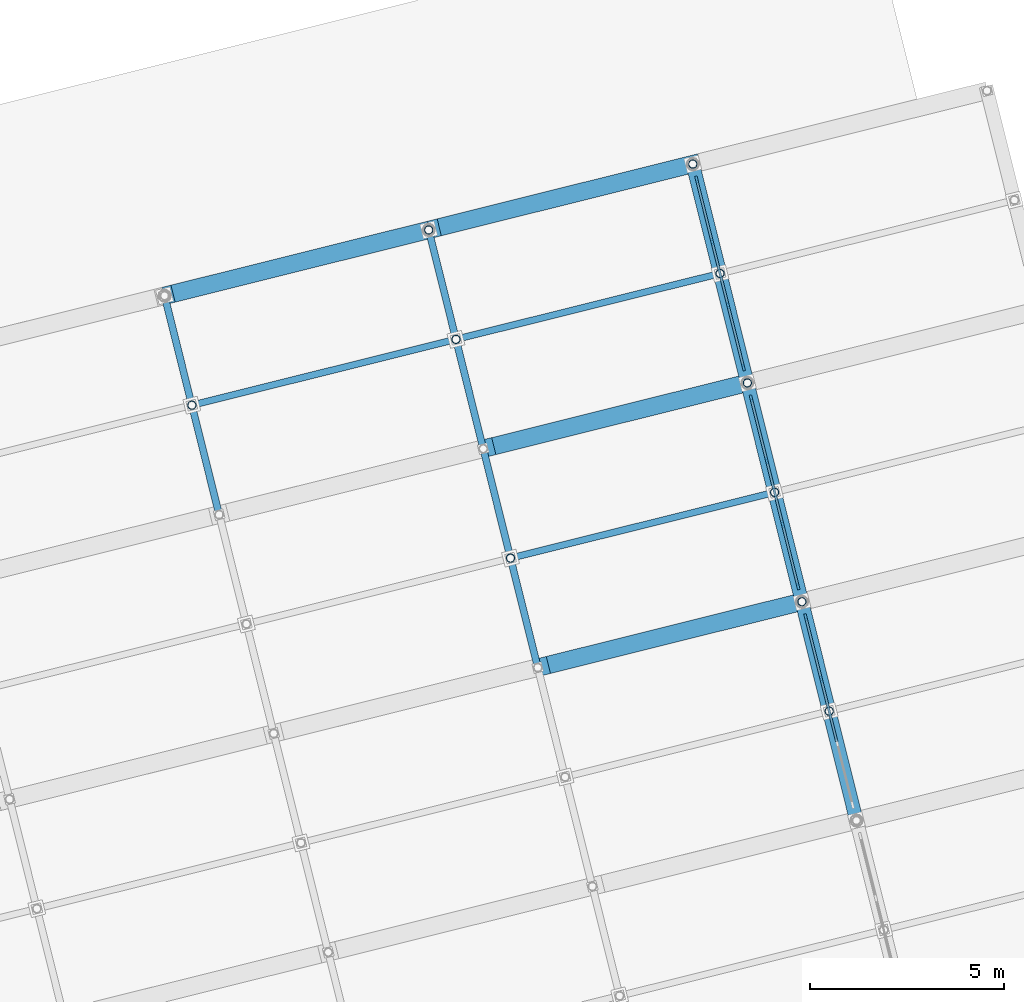
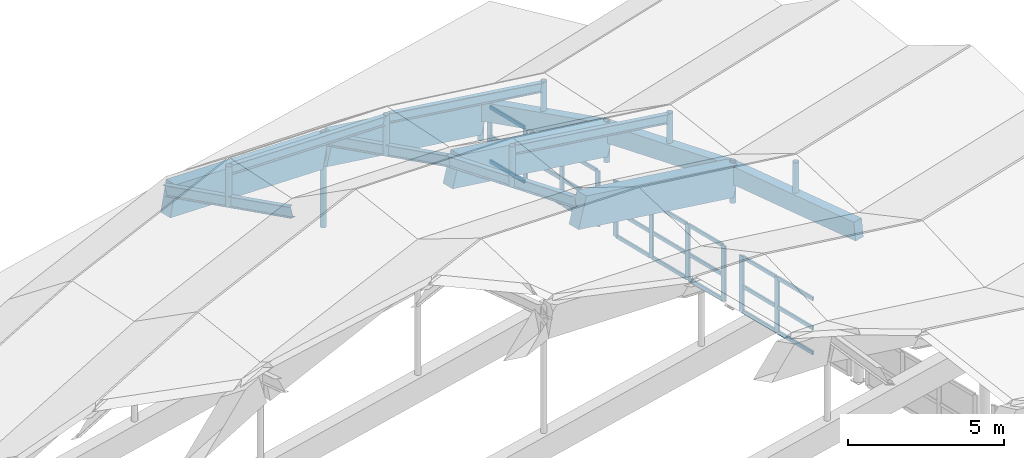
# One storey, part 31 of 65: 44 members, 13 beams, 3 elements without a shape of their own.
"""IFC4 building model written with IfcOpenShell, lengths in metres."""

from ifc_helpers import new_model, si_unit, direction, frame, origin, origin_2d, place, context, subcontext, project, spatial, rectangle, hollow_circle, i_section, extrude, material, material_profile, profile_set, type_object, element, aggregate, save


model = new_model("IFC4")

# Units and contexts
model_context = context("Model", 3, precision=1e-05, world=origin(), true_north=direction((0.0, 1.0)))
body_context = subcontext(model_context, "Body", "Model", "MODEL_VIEW")
ifc_project = project(units=[si_unit("LENGTHUNIT", "METRE"), si_unit("AREAUNIT", "SQUARE_METRE"), si_unit("VOLUMEUNIT", "CUBIC_METRE"), si_unit("PLANEANGLEUNIT", "RADIAN"), si_unit("MASSUNIT", "GRAM", prefix="KILO")], contexts=[model_context])

# Site, building, storey
site_placement = place(None, origin())
site = spatial("IfcSite", under=ifc_project, at=site_placement, CompositionType="ELEMENT")
building_placement = place(site_placement, origin())
building = spatial("IfcBuilding", under=site, at=building_placement, Name="Cinderway Yard Community Centre", CompositionType="ELEMENT")
storey_placement = place(building_placement, frame((0.0, 0.0, 24.300048828125)))
storey = spatial("IfcBuildingStorey", under=building, at=storey_placement, Name="RF", CompositionType="ELEMENT", Elevation=24.300048828125)

# Curtain wall, members
ifc_material_1 = material(Name="Aluminium 6063-T6", Category="aluminium")
curtain_wall_type = type_object("IfcCurtainWallType", Name="ENV-CW-TYPE-10", PredefinedType="USERDEFINED", material=ifc_material_1)
curtain_wall_1_placement = place(storey_placement, origin())
curtain_wall_1 = element("IfcCurtainWall", 1, at=curtain_wall_1_placement, inside=storey, type_object=curtain_wall_type, Name="Main Hall East Clerestory Curtain Wall ENV-CW-RF-HS-0034", ObjectType="GLAZED CURTAIN WALL", PredefinedType="USERDEFINED")
ifc_material_profile_1 = material_profile(ifc_material_1, rectangle(XDim=0.06494140625, YDim=0.179931640625, at=origin_2d()), Name="Aluminium 6063-T6")
ifc_profile_set_1 = profile_set([ifc_material_profile_1], Name="Aluminium 6063-T6")
member_type_1 = type_object("IfcMemberType", Name="ENV-CW-MULL-180", PredefinedType="MULLION", material=ifc_profile_set_1)
member_1_placement = place(storey_placement, frame((40.46044921875, 58.0302734375, -11.420166015625), z_axis=(0.0, 0.0, 1.0), x_axis=(-0.970294077356, -0.24192850896, 0.0)))
member_1 = element("IfcMember", 2, at=member_1_placement, type_object=member_type_1, Name="CW-10 mullion 3", PredefinedType="MULLION", context=body_context, shape_type="SweptSolid", body=[
    extrude(rectangle(XDim=0.06494140625, YDim=0.179931640625, at=origin_2d()), origin(), (0.0, 0.0, 1.0), 2.170166015625),
])
member_2_placement = place(storey_placement, frame((40.061279296875, 59.630859375, -11.420166015625), z_axis=(0.0, 0.0, 1.0), x_axis=(-0.970294077356, -0.24192850896, 0.0)))
member_2 = element("IfcMember", 3, at=member_2_placement, type_object=member_type_1, Name="CW-10 mullion 4", PredefinedType="MULLION", context=body_context, shape_type="SweptSolid", body=[
    extrude(rectangle(XDim=0.06494140625, YDim=0.179931640625, at=origin_2d()), origin(), (0.0, 0.0, 1.0), 2.170166015625),
])

curtain_wall_2_placement = place(storey_placement, origin())
curtain_wall_2 = element("IfcCurtainWall", 4, at=curtain_wall_2_placement, inside=storey, type_object=curtain_wall_type, Name="Main Hall East Clerestory Curtain Wall ENV-CW-RF-HS-0035", ObjectType="GLAZED CURTAIN WALL", PredefinedType="USERDEFINED")
member_3_placement = place(storey_placement, frame((39.86279296875, 60.427001953125, -11.420166015625), z_axis=(0.0, 0.0, 1.0), x_axis=(-0.970305690025, -0.241881929678, 0.0)))
member_3 = element("IfcMember", 5, at=member_3_placement, type_object=member_type_1, Name="CW-10 mullion 1", PredefinedType="MULLION", context=body_context, shape_type="SweptSolid", body=[
    extrude(rectangle(XDim=0.06494140625, YDim=0.179931640625, at=origin_2d()), origin(), (0.0, 0.0, 1.0), 2.170166015625),
])
member_4_placement = place(storey_placement, frame((39.463623046875, 62.028076171875, -11.420166015625), z_axis=(0.0, 0.0, 1.0), x_axis=(-0.970305690025, -0.241881929678, 0.0)))
member_4 = element("IfcMember", 6, at=member_4_placement, type_object=member_type_1, Name="CW-10 mullion 2", PredefinedType="MULLION", context=body_context, shape_type="SweptSolid", body=[
    extrude(rectangle(XDim=0.06494140625, YDim=0.179931640625, at=origin_2d()), origin(), (0.0, 0.0, 1.0), 2.170166015625),
])
member_5_placement = place(storey_placement, frame((39.057373046875, 63.657958984375, -11.420166015625), z_axis=(0.0, 0.0, 1.0), x_axis=(-0.970305690025, -0.241881929678, 0.0)))
member_5 = element("IfcMember", 7, at=member_5_placement, type_object=member_type_1, Name="CW-10 mullion 3", PredefinedType="MULLION", context=body_context, shape_type="SweptSolid", body=[
    extrude(rectangle(XDim=0.06494140625, YDim=0.179931640625, at=origin_2d()), origin(), (0.0, 0.0, 1.0), 2.170166015625),
])
member_6_placement = place(storey_placement, frame((38.658203125, 65.2587890625, -11.420166015625), z_axis=(0.0, 0.0, 1.0), x_axis=(-0.970305690025, -0.241881929678, 0.0)))
member_6 = element("IfcMember", 8, at=member_6_placement, type_object=member_type_1, Name="CW-10 mullion 4", PredefinedType="MULLION", context=body_context, shape_type="SweptSolid", body=[
    extrude(rectangle(XDim=0.06494140625, YDim=0.179931640625, at=origin_2d()), origin(), (0.0, 0.0, 1.0), 2.170166015625),
])

curtain_wall_3_placement = place(storey_placement, origin())
curtain_wall_3 = element("IfcCurtainWall", 9, at=curtain_wall_3_placement, inside=storey, type_object=curtain_wall_type, Name="Main Hall East Clerestory Curtain Wall ENV-CW-RF-HS-0036", ObjectType="GLAZED CURTAIN WALL", PredefinedType="USERDEFINED")
member_7_placement = place(storey_placement, frame((38.459716796875, 66.05517578125, -11.420166015625), z_axis=(0.0, 0.0, 1.0), x_axis=(-0.970305690025, -0.241881929678, 0.0)))
member_7 = element("IfcMember", 10, at=member_7_placement, type_object=member_type_1, Name="CW-10 mullion 1", PredefinedType="MULLION", context=body_context, shape_type="SweptSolid", body=[
    extrude(rectangle(XDim=0.06494140625, YDim=0.179931640625, at=origin_2d()), origin(), (0.0, 0.0, 1.0), 2.170166015625),
])
member_8_placement = place(storey_placement, frame((38.060546875, 67.656005859375, -11.420166015625), z_axis=(0.0, 0.0, 1.0), x_axis=(-0.970305690025, -0.241881929678, 0.0)))
member_8 = element("IfcMember", 11, at=member_8_placement, type_object=member_type_1, Name="CW-10 mullion 2", PredefinedType="MULLION", context=body_context, shape_type="SweptSolid", body=[
    extrude(rectangle(XDim=0.06494140625, YDim=0.179931640625, at=origin_2d()), origin(), (0.0, 0.0, 1.0), 2.170166015625),
])
member_9_placement = place(storey_placement, frame((37.654296875, 69.285888671875, -11.420166015625), z_axis=(0.0, 0.0, 1.0), x_axis=(-0.970305690025, -0.241881929678, 0.0)))
member_9 = element("IfcMember", 12, at=member_9_placement, type_object=member_type_1, Name="CW-10 mullion 3", PredefinedType="MULLION", context=body_context, shape_type="SweptSolid", body=[
    extrude(rectangle(XDim=0.06494140625, YDim=0.179931640625, at=origin_2d()), origin(), (0.0, 0.0, 1.0), 2.170166015625),
])
member_10_placement = place(storey_placement, frame((37.25537109375, 70.886962890625, -11.420166015625), z_axis=(0.0, 0.0, 1.0), x_axis=(-0.970305690025, -0.241881929678, 0.0)))
member_10 = element("IfcMember", 13, at=member_10_placement, type_object=member_type_1, Name="CW-10 mullion 4", PredefinedType="MULLION", context=body_context, shape_type="SweptSolid", body=[
    extrude(rectangle(XDim=0.06494140625, YDim=0.179931640625, at=origin_2d()), origin(), (0.0, 0.0, 1.0), 2.170166015625),
])

# Member
ifc_material_profile_2 = material_profile(ifc_material_1, rectangle(XDim=0.06494140625, YDim=0.139892578125, at=origin_2d()), Name="Aluminium 6063-T6")
ifc_profile_set_2 = profile_set([ifc_material_profile_2], Name="Aluminium 6063-T6")
member_type_2 = type_object("IfcMemberType", Name="ENV-CW-TRAN-140", PredefinedType="USERDEFINED", material=ifc_profile_set_2)
member_11_placement = place(storey_placement, frame((40.859375, 56.4296875, -11.39013671875), z_axis=(-0.241932630828, 0.97029304962, 0.0), x_axis=(-0.97029304962, -0.241932630828, 0.0)))
member_11 = element("IfcMember", 14, at=member_11_placement, type_object=member_type_2, Name="CW-10 transom 2.1", ObjectType="TRANSOM", PredefinedType="USERDEFINED", context=body_context, shape_type="SweptSolid", body=[
    extrude(rectangle(XDim=0.06494140625, YDim=0.139892578125, at=origin_2d()), origin(), (0.0, 0.0, 1.0), 1.61962890625),
])

member_12_placement = place(storey_placement, frame((40.859375, 56.4296875, -10.420166015625), z_axis=(-0.241932630828, 0.97029304962, 0.0), x_axis=(-0.97029304962, -0.241932630828, 0.0)))
member_12 = element("IfcMember", 15, at=member_12_placement, type_object=member_type_2, Name="CW-10 transom 2.2", ObjectType="TRANSOM", PredefinedType="USERDEFINED", context=body_context, shape_type="SweptSolid", body=[
    extrude(rectangle(XDim=0.06494140625, YDim=0.139892578125, at=origin_2d()), origin(), (0.0, 0.0, 1.0), 1.61962890625),
])

member_13_placement = place(storey_placement, frame((40.859375, 56.4296875, -9.280029296875), z_axis=(-0.241932630828, 0.97029304962, 0.0), x_axis=(-0.97029304962, -0.241932630828, 0.0)))
member_13 = element("IfcMember", 16, at=member_13_placement, type_object=member_type_2, Name="CW-10 transom 2.3", ObjectType="TRANSOM", PredefinedType="USERDEFINED", context=body_context, shape_type="SweptSolid", body=[
    extrude(rectangle(XDim=0.06494140625, YDim=0.139892578125, at=origin_2d()), origin(), (0.0, 0.0, 1.0), 1.61962890625),
])

member_14_placement = place(storey_placement, frame((40.453125, 58.059326171875, -11.39013671875), z_axis=(-0.241885123134, 0.970304893941, 0.0), x_axis=(-0.970304893941, -0.241885123134, 0.0)))
member_14 = element("IfcMember", 17, at=member_14_placement, type_object=member_type_2, Name="CW-10 transom 3.1", ObjectType="TRANSOM", PredefinedType="USERDEFINED", context=body_context, shape_type="SweptSolid", body=[
    extrude(rectangle(XDim=0.06494140625, YDim=0.139892578125, at=origin_2d()), origin(), (0.0, 0.0, 1.0), 1.589599609375),
])

member_15_placement = place(storey_placement, frame((40.453125, 58.059326171875, -10.420166015625), z_axis=(-0.241885123134, 0.970304893941, 0.0), x_axis=(-0.970304893941, -0.241885123134, 0.0)))
member_15 = element("IfcMember", 18, at=member_15_placement, type_object=member_type_2, Name="CW-10 transom 3.2", ObjectType="TRANSOM", PredefinedType="USERDEFINED", context=body_context, shape_type="SweptSolid", body=[
    extrude(rectangle(XDim=0.06494140625, YDim=0.139892578125, at=origin_2d()), origin(), (0.0, 0.0, 1.0), 1.589599609375),
])

member_16_placement = place(storey_placement, frame((40.453125, 58.059326171875, -9.280029296875), z_axis=(-0.241885123134, 0.970304893941, 0.0), x_axis=(-0.970304893941, -0.241885123134, 0.0)))
member_16 = element("IfcMember", 19, at=member_16_placement, type_object=member_type_2, Name="CW-10 transom 3.3", ObjectType="TRANSOM", PredefinedType="USERDEFINED", context=body_context, shape_type="SweptSolid", body=[
    extrude(rectangle(XDim=0.06494140625, YDim=0.139892578125, at=origin_2d()), origin(), (0.0, 0.0, 1.0), 1.589599609375),
])

aggregate(curtain_wall_1, [member_1, member_2, member_11, member_12, member_13, member_14, member_15, member_16])

member_17_placement = place(storey_placement, frame((39.85546875, 60.456298828125, -11.39013671875), z_axis=(-0.241885123134, 0.970304893941, 0.0), x_axis=(-0.970304893941, -0.241885123134, 0.0)))
member_17 = element("IfcMember", 20, at=member_17_placement, type_object=member_type_2, Name="CW-10 transom 1.1", ObjectType="TRANSOM", PredefinedType="USERDEFINED", context=body_context, shape_type="SweptSolid", body=[
    extrude(rectangle(XDim=0.06494140625, YDim=0.139892578125, at=origin_2d()), origin(), (0.0, 0.0, 1.0), 1.589599609375),
])

member_18_placement = place(storey_placement, frame((39.85546875, 60.456298828125, -10.420166015625), z_axis=(-0.241885123134, 0.970304893941, 0.0), x_axis=(-0.970304893941, -0.241885123134, 0.0)))
member_18 = element("IfcMember", 21, at=member_18_placement, type_object=member_type_2, Name="CW-10 transom 1.2", ObjectType="TRANSOM", PredefinedType="USERDEFINED", context=body_context, shape_type="SweptSolid", body=[
    extrude(rectangle(XDim=0.06494140625, YDim=0.139892578125, at=origin_2d()), origin(), (0.0, 0.0, 1.0), 1.589599609375),
])

member_19_placement = place(storey_placement, frame((39.85546875, 60.456298828125, -9.280029296875), z_axis=(-0.241885123134, 0.970304893941, 0.0), x_axis=(-0.970304893941, -0.241885123134, 0.0)))
member_19 = element("IfcMember", 22, at=member_19_placement, type_object=member_type_2, Name="CW-10 transom 1.3", ObjectType="TRANSOM", PredefinedType="USERDEFINED", context=body_context, shape_type="SweptSolid", body=[
    extrude(rectangle(XDim=0.06494140625, YDim=0.139892578125, at=origin_2d()), origin(), (0.0, 0.0, 1.0), 1.589599609375),
])

member_20_placement = place(storey_placement, frame((39.456298828125, 62.05712890625, -11.39013671875), z_axis=(-0.24175534745, 0.970337236212, 0.0), x_axis=(-0.970337236212, -0.24175534745, 0.0)))
member_20 = element("IfcMember", 23, at=member_20_placement, type_object=member_type_2, Name="CW-10 transom 2.1", ObjectType="TRANSOM", PredefinedType="USERDEFINED", context=body_context, shape_type="SweptSolid", body=[
    extrude(rectangle(XDim=0.06494140625, YDim=0.139892578125, at=origin_2d()), origin(), (0.0, 0.0, 1.0), 1.619873046875),
])

member_21_placement = place(storey_placement, frame((39.456298828125, 62.05712890625, -10.420166015625), z_axis=(-0.24175534745, 0.970337236212, 0.0), x_axis=(-0.970337236212, -0.24175534745, 0.0)))
member_21 = element("IfcMember", 24, at=member_21_placement, type_object=member_type_2, Name="CW-10 transom 2.2", ObjectType="TRANSOM", PredefinedType="USERDEFINED", context=body_context, shape_type="SweptSolid", body=[
    extrude(rectangle(XDim=0.06494140625, YDim=0.139892578125, at=origin_2d()), origin(), (0.0, 0.0, 1.0), 1.619873046875),
])

member_22_placement = place(storey_placement, frame((39.456298828125, 62.05712890625, -9.280029296875), z_axis=(-0.24175534745, 0.970337236212, 0.0), x_axis=(-0.970337236212, -0.24175534745, 0.0)))
member_22 = element("IfcMember", 25, at=member_22_placement, type_object=member_type_2, Name="CW-10 transom 2.3", ObjectType="TRANSOM", PredefinedType="USERDEFINED", context=body_context, shape_type="SweptSolid", body=[
    extrude(rectangle(XDim=0.06494140625, YDim=0.139892578125, at=origin_2d()), origin(), (0.0, 0.0, 1.0), 1.619873046875),
])

member_23_placement = place(storey_placement, frame((39.050048828125, 63.68701171875, -11.39013671875), z_axis=(-0.241849083258, 0.97031387753, 0.0), x_axis=(-0.97031387753, -0.241849083258, 0.0)))
member_23 = element("IfcMember", 26, at=member_23_placement, type_object=member_type_2, Name="CW-10 transom 3.1", ObjectType="TRANSOM", PredefinedType="USERDEFINED", context=body_context, shape_type="SweptSolid", body=[
    extrude(rectangle(XDim=0.06494140625, YDim=0.139892578125, at=origin_2d()), origin(), (0.0, 0.0, 1.0), 1.58984375),
])

member_24_placement = place(storey_placement, frame((39.050048828125, 63.68701171875, -10.420166015625), z_axis=(-0.241849083258, 0.97031387753, 0.0), x_axis=(-0.97031387753, -0.241849083258, 0.0)))
member_24 = element("IfcMember", 27, at=member_24_placement, type_object=member_type_2, Name="CW-10 transom 3.2", ObjectType="TRANSOM", PredefinedType="USERDEFINED", context=body_context, shape_type="SweptSolid", body=[
    extrude(rectangle(XDim=0.06494140625, YDim=0.139892578125, at=origin_2d()), origin(), (0.0, 0.0, 1.0), 1.58984375),
])

member_25_placement = place(storey_placement, frame((39.050048828125, 63.68701171875, -9.280029296875), z_axis=(-0.241849083258, 0.97031387753, 0.0), x_axis=(-0.97031387753, -0.241849083258, 0.0)))
member_25 = element("IfcMember", 28, at=member_25_placement, type_object=member_type_2, Name="CW-10 transom 3.3", ObjectType="TRANSOM", PredefinedType="USERDEFINED", context=body_context, shape_type="SweptSolid", body=[
    extrude(rectangle(XDim=0.06494140625, YDim=0.139892578125, at=origin_2d()), origin(), (0.0, 0.0, 1.0), 1.58984375),
])

aggregate(curtain_wall_2, [member_3, member_4, member_5, member_6, member_17, member_18, member_19, member_20, member_21, member_22, member_23, member_24, member_25])

member_26_placement = place(storey_placement, frame((38.452392578125, 66.084228515625, -11.39013671875), z_axis=(-0.241849083258, 0.97031387753, 0.0), x_axis=(-0.97031387753, -0.241849083258, 0.0)))
member_26 = element("IfcMember", 29, at=member_26_placement, type_object=member_type_2, Name="CW-10 transom 1.1", ObjectType="TRANSOM", PredefinedType="USERDEFINED", context=body_context, shape_type="SweptSolid", body=[
    extrude(rectangle(XDim=0.06494140625, YDim=0.139892578125, at=origin_2d()), origin(), (0.0, 0.0, 1.0), 1.58984375),
])

member_27_placement = place(storey_placement, frame((38.452392578125, 66.084228515625, -10.420166015625), z_axis=(-0.241849083258, 0.97031387753, 0.0), x_axis=(-0.97031387753, -0.241849083258, 0.0)))
member_27 = element("IfcMember", 30, at=member_27_placement, type_object=member_type_2, Name="CW-10 transom 1.2", ObjectType="TRANSOM", PredefinedType="USERDEFINED", context=body_context, shape_type="SweptSolid", body=[
    extrude(rectangle(XDim=0.06494140625, YDim=0.139892578125, at=origin_2d()), origin(), (0.0, 0.0, 1.0), 1.58984375),
])

member_28_placement = place(storey_placement, frame((38.452392578125, 66.084228515625, -9.280029296875), z_axis=(-0.241849083258, 0.97031387753, 0.0), x_axis=(-0.97031387753, -0.241849083258, 0.0)))
member_28 = element("IfcMember", 31, at=member_28_placement, type_object=member_type_2, Name="CW-10 transom 1.3", ObjectType="TRANSOM", PredefinedType="USERDEFINED", context=body_context, shape_type="SweptSolid", body=[
    extrude(rectangle(XDim=0.06494140625, YDim=0.139892578125, at=origin_2d()), origin(), (0.0, 0.0, 1.0), 1.58984375),
])

member_29_placement = place(storey_placement, frame((38.053466796875, 67.68505859375, -11.39013671875), z_axis=(-0.241897251039, 0.970301870523, 0.0), x_axis=(-0.970301870523, -0.241897251039, 0.0)))
member_29 = element("IfcMember", 32, at=member_29_placement, type_object=member_type_2, Name="CW-10 transom 2.1", ObjectType="TRANSOM", PredefinedType="USERDEFINED", context=body_context, shape_type="SweptSolid", body=[
    extrude(rectangle(XDim=0.06494140625, YDim=0.139892578125, at=origin_2d()), origin(), (0.0, 0.0, 1.0), 1.619873046875),
])

member_30_placement = place(storey_placement, frame((38.053466796875, 67.68505859375, -10.420166015625), z_axis=(-0.241897251039, 0.970301870523, 0.0), x_axis=(-0.970301870523, -0.241897251039, 0.0)))
member_30 = element("IfcMember", 33, at=member_30_placement, type_object=member_type_2, Name="CW-10 transom 2.2", ObjectType="TRANSOM", PredefinedType="USERDEFINED", context=body_context, shape_type="SweptSolid", body=[
    extrude(rectangle(XDim=0.06494140625, YDim=0.139892578125, at=origin_2d()), origin(), (0.0, 0.0, 1.0), 1.619873046875),
])

member_31_placement = place(storey_placement, frame((38.053466796875, 67.68505859375, -9.280029296875), z_axis=(-0.241897251039, 0.970301870523, 0.0), x_axis=(-0.970301870523, -0.241897251039, 0.0)))
member_31 = element("IfcMember", 34, at=member_31_placement, type_object=member_type_2, Name="CW-10 transom 2.3", ObjectType="TRANSOM", PredefinedType="USERDEFINED", context=body_context, shape_type="SweptSolid", body=[
    extrude(rectangle(XDim=0.06494140625, YDim=0.139892578125, at=origin_2d()), origin(), (0.0, 0.0, 1.0), 1.619873046875),
])

member_32_placement = place(storey_placement, frame((37.64697265625, 69.315185546875, -11.39013671875), z_axis=(-0.241885123134, 0.970304893941, 0.0), x_axis=(-0.970304893941, -0.241885123134, 0.0)))
member_32 = element("IfcMember", 35, at=member_32_placement, type_object=member_type_2, Name="CW-10 transom 3.1", ObjectType="TRANSOM", PredefinedType="USERDEFINED", context=body_context, shape_type="SweptSolid", body=[
    extrude(rectangle(XDim=0.06494140625, YDim=0.139892578125, at=origin_2d()), origin(), (0.0, 0.0, 1.0), 1.589599609375),
])

member_33_placement = place(storey_placement, frame((37.64697265625, 69.315185546875, -10.420166015625), z_axis=(-0.241885123134, 0.970304893941, 0.0), x_axis=(-0.970304893941, -0.241885123134, 0.0)))
member_33 = element("IfcMember", 36, at=member_33_placement, type_object=member_type_2, Name="CW-10 transom 3.2", ObjectType="TRANSOM", PredefinedType="USERDEFINED", context=body_context, shape_type="SweptSolid", body=[
    extrude(rectangle(XDim=0.06494140625, YDim=0.139892578125, at=origin_2d()), origin(), (0.0, 0.0, 1.0), 1.589599609375),
])

member_34_placement = place(storey_placement, frame((37.64697265625, 69.315185546875, -9.280029296875), z_axis=(-0.241885123134, 0.970304893941, 0.0), x_axis=(-0.970304893941, -0.241885123134, 0.0)))
member_34 = element("IfcMember", 37, at=member_34_placement, type_object=member_type_2, Name="CW-10 transom 3.3", ObjectType="TRANSOM", PredefinedType="USERDEFINED", context=body_context, shape_type="SweptSolid", body=[
    extrude(rectangle(XDim=0.06494140625, YDim=0.139892578125, at=origin_2d()), origin(), (0.0, 0.0, 1.0), 1.589599609375),
])

aggregate(curtain_wall_3, [member_7, member_8, member_9, member_10, member_26, member_27, member_28, member_29, member_30, member_31, member_32, member_33, member_34])

# Beams
ifc_material_2 = material(Name="Concrete C35/45", Category="concrete")
ifc_material_profile_3 = material_profile(ifc_material_2, rectangle(XDim=0.35009765625, YDim=0.699951171875, at=origin_2d()), Name="Concrete C35/45")
ifc_profile_set_3 = profile_set([ifc_material_profile_3], Name="Concrete C35/45")
beam_type_1 = type_object("IfcBeamType", Name="STR-BM-RC350X700", PredefinedType="BEAM", material=ifc_profile_set_3)
beam_1_placement = place(storey_placement, frame((41.364990234375, 54.402099609375, -5.525146484375), z_axis=(-0.240427167175, 0.964218783548, -0.111700110729), x_axis=(-0.97029090175, -0.241941244896, 0.0)))
element("IfcBeam", 38, at=beam_1_placement, inside=storey, type_object=beam_type_1, Name="Folded-plate valley beam B5-U28", PredefinedType="BEAM", context=body_context, shape_type="SweptSolid", body=[
    extrude(rectangle(XDim=0.35009765625, YDim=0.699951171875, at=origin_2d()), origin(), (0.0, 0.0, 1.0), 5.835693359375),
])
beam_2_placement = place(storey_placement, frame((39.9619140625, 60.029052734375, -6.177001953125), z_axis=(-0.235751639953, 0.945796520047, -0.223360934198), x_axis=(-0.970310635396, -0.241862090534, 0.0)))
element("IfcBeam", 39, at=beam_2_placement, inside=storey, type_object=beam_type_1, Name="Folded-plate valley beam B6-U28", PredefinedType="BEAM", context=body_context, shape_type="SweptSolid", body=[
    extrude(rectangle(XDim=0.35009765625, YDim=0.699951171875, at=origin_2d()), origin(), (0.0, 0.0, 1.0), 5.950439453125),
])
beam_3_placement = place(storey_placement, frame((38.55908203125, 65.656982421875, -7.506103515625), z_axis=(-0.227902575653, 0.91414828153, -0.335251152701), x_axis=(-0.97030075642, -0.2419017199, 0.0)))
element("IfcBeam", 40, at=beam_3_placement, inside=storey, type_object=beam_type_1, Name="Folded-plate valley beam B7-U28", PredefinedType="BEAM", context=body_context, shape_type="SweptSolid", body=[
    extrude(rectangle(XDim=0.35009765625, YDim=0.699951171875, at=origin_2d()), origin(), (0.0, 0.0, 1.0), 6.156494140625),
])
ifc_material_3 = material(Name="Concrete C40/50", Category="concrete")
ifc_material_profile_4 = material_profile(ifc_material_3, rectangle(XDim=0.449951171875, YDim=1.199951171875, at=origin_2d()), Name="Concrete C40/50")
ifc_profile_set_4 = profile_set([ifc_material_profile_4], Name="Concrete C40/50")
beam_type_2 = type_object("IfcBeamType", Name="STR-BM-RC450X1200", PredefinedType="BEAM", material=ifc_profile_set_4)
beam_4_placement = place(storey_placement, frame((33.27197265625, 58.361083984375, -4.3271484375), z_axis=(0.928202702015, 0.231424015042, -0.291346304651), x_axis=(-0.241919030794, 0.970296440548, 0.0)))
element("IfcBeam", 41, at=beam_4_placement, inside=storey, type_object=beam_type_2, Name="Main Hall arch rib segment 06.4", PredefinedType="BEAM", context=body_context, shape_type="SweptSolid", body=[
    extrude(rectangle(XDim=0.449951171875, YDim=1.199951171875, at=origin_2d()), origin(), (0.0, 0.0, 1.0), 7.20751953125),
])
beam_5_placement = place(storey_placement, frame((31.868896484375, 63.989013671875, -5.656005859375), z_axis=(0.928198231003, 0.23141445514, -0.291368141557), x_axis=(-0.241910719241, 0.970298512787, 0.0)))
element("IfcBeam", 42, at=beam_5_placement, inside=storey, type_object=beam_type_2, Name="Main Hall arch rib segment 07.4", PredefinedType="BEAM", context=body_context, shape_type="SweptSolid", body=[
    extrude(rectangle(XDim=0.449951171875, YDim=1.199951171875, at=origin_2d()), origin(), (0.0, 0.0, 1.0), 7.207763671875),
])
beam_6_placement = place(storey_placement, frame((23.673095703125, 67.923095703125, -6.320068359375), z_axis=(0.950310945384, 0.236943914017, -0.20190762416), x_axis=(-0.241926494248, 0.970294579693, 0.0)))
element("IfcBeam", 43, at=beam_6_placement, inside=storey, type_object=beam_type_2, Name="Main Hall arch rib segment 08.3", PredefinedType="BEAM", context=body_context, shape_type="SweptSolid", body=[
    extrude(rectangle(XDim=0.449951171875, YDim=1.199951171875, at=origin_2d()), origin(), (0.0, 0.0, 1.0), 6.933349609375),
])
beam_7_placement = place(storey_placement, frame((30.466064453125, 69.616943359375, -7.719970703125), z_axis=(0.928193541251, 0.231421731035, -0.291377302454), x_axis=(-0.241919030794, 0.970296440548, 0.0)))
element("IfcBeam", 44, at=beam_7_placement, inside=storey, type_object=beam_type_2, Name="Main Hall arch rib segment 08.4", PredefinedType="BEAM", context=body_context, shape_type="SweptSolid", body=[
    extrude(rectangle(XDim=0.449951171875, YDim=1.199951171875, at=origin_2d()), origin(), (0.0, 0.0, 1.0), 7.20751953125),
])
ifc_material_4 = material(Name="Steel S355", Category="steel")
ifc_material_profile_5 = material_profile(ifc_material_4, i_section(OverallWidth=0.172119140625, OverallDepth=0.35791015625, WebThickness=0.0078125, FlangeThickness=0.01318359375, FilletRadius=0.010986328125, at=origin_2d()), Name="Steel S355")
ifc_profile_set_5 = profile_set([ifc_material_profile_5], Name="Steel S355")
beam_type_3 = type_object("IfcBeamType", Name="STR-BM-W360X57", PredefinedType="JOIST", material=ifc_profile_set_5)
beam_8_placement = place(storey_placement, frame((32.570068359375, 61.175048828125, -3.39697265625), z_axis=(0.926968809863, 0.231158295923, -0.29545671048), x_axis=(-0.241960342359, 0.970286139613, 0.0)))
element("IfcBeam", 45, at=beam_8_placement, inside=storey, type_object=beam_type_3, Name="Folded-plate ridge beam B6.5", PredefinedType="JOIST", context=body_context, shape_type="SweptSolid", body=[
    extrude(i_section(OverallWidth=0.172119140625, OverallDepth=0.35791015625, WebThickness=0.0078125, FlangeThickness=0.01318359375, FilletRadius=0.010986328125, at=origin_2d()), origin(), (0.0, 0.0, 1.0), 7.10791015625),
])
beam_9_placement = place(storey_placement, frame((24.375, 65.10888671875, -3.693115234375), z_axis=(0.950289361775, 0.2370088721, -0.2019329677), x_axis=(-0.241994109311, 0.970277718521, 0.0)))
element("IfcBeam", 46, at=beam_9_placement, inside=storey, type_object=beam_type_3, Name="Folded-plate ridge beam B7.4", PredefinedType="JOIST", context=body_context, shape_type="SweptSolid", body=[
    extrude(i_section(OverallWidth=0.172119140625, OverallDepth=0.35791015625, WebThickness=0.0078125, FlangeThickness=0.01318359375, FilletRadius=0.010986328125, at=origin_2d()), origin(), (0.0, 0.0, 1.0), 6.9326171875),
])
beam_10_placement = place(storey_placement, frame((31.1669921875, 66.802978515625, -5.093017578125), z_axis=(0.926978910408, 0.231057669412, -0.295503727666), x_axis=(-0.241858695017, 0.970311481765, 0.0)))
element("IfcBeam", 47, at=beam_10_placement, inside=storey, type_object=beam_type_3, Name="Folded-plate ridge beam B7.5", PredefinedType="JOIST", context=body_context, shape_type="SweptSolid", body=[
    extrude(i_section(OverallWidth=0.172119140625, OverallDepth=0.35791015625, WebThickness=0.0078125, FlangeThickness=0.01318359375, FilletRadius=0.010986328125, at=origin_2d()), origin(), (0.0, 0.0, 1.0), 7.10693359375),
])
ifc_material_profile_6 = material_profile(ifc_material_4, i_section(OverallWidth=0.178955078125, OverallDepth=0.409912109375, WebThickness=0.0087890625, FlangeThickness=0.013427734375, FilletRadius=0.011962890625, at=origin_2d()), Name="Steel S355")
ifc_profile_set_6 = profile_set([ifc_material_profile_6], Name="Steel S355")
beam_type_4 = type_object("IfcBeamType", Name="STR-BM-W410X67", PredefinedType="JOIST", material=ifc_profile_set_6)
beam_11_placement = place(storey_placement, frame((33.169921875, 58.3359375, -3.93212890625), z_axis=(-0.235744652027, 0.945809513256, -0.223313285935), x_axis=(-0.970313097527, -0.241852212657, 0.0)))
element("IfcBeam", 48, at=beam_11_placement, inside=storey, type_object=beam_type_4, Name="Folded-plate valley beam B6-U21", PredefinedType="JOIST", context=body_context, shape_type="SweptSolid", body=[
    extrude(i_section(OverallWidth=0.178955078125, OverallDepth=0.409912109375, WebThickness=0.0087890625, FlangeThickness=0.013427734375, FilletRadius=0.011962890625, at=origin_2d()), origin(), (0.0, 0.0, 1.0), 5.95068359375),
])
beam_12_placement = place(storey_placement, frame((24.97509765625, 62.27001953125, -3.861083984375), z_axis=(-0.227902575653, 0.91414828153, -0.335251152701), x_axis=(-0.97030075642, -0.2419017199, 0.0)))
element("IfcBeam", 49, at=beam_12_placement, inside=storey, type_object=beam_type_4, Name="Folded-plate valley beam B7-U14", PredefinedType="JOIST", context=body_context, shape_type="SweptSolid", body=[
    extrude(i_section(OverallWidth=0.178955078125, OverallDepth=0.409912109375, WebThickness=0.0087890625, FlangeThickness=0.013427734375, FilletRadius=0.011962890625, at=origin_2d()), origin(), (0.0, 0.0, 1.0), 6.156494140625),
])
beam_13_placement = place(storey_placement, frame((31.76708984375, 63.964111328125, -5.260986328125), z_axis=(-0.227935627116, 0.914122208766, -0.335299772341), x_axis=(-0.97029090175, -0.241941244896, 0.0)))
element("IfcBeam", 50, at=beam_13_placement, inside=storey, type_object=beam_type_4, Name="Folded-plate valley beam B7-U21", PredefinedType="JOIST", context=body_context, shape_type="SweptSolid", body=[
    extrude(i_section(OverallWidth=0.178955078125, OverallDepth=0.409912109375, WebThickness=0.0087890625, FlangeThickness=0.013427734375, FilletRadius=0.011962890625, at=origin_2d()), origin(), (0.0, 0.0, 1.0), 6.155517578125),
])

# Members
ifc_material_profile_7 = material_profile(ifc_material_4, hollow_circle(Radius=0.109619140625, WallThickness=0.010009765625, at=origin_2d()), Name="Steel S355")
ifc_profile_set_7 = profile_set([ifc_material_profile_7], Name="Steel S355")
member_type_3 = type_object("IfcMemberType", Name="STR-MEM-STRUT-CHS219", PredefinedType="STRUT", material=ifc_profile_set_7)
member_35_placement = place(storey_placement, frame((39.9619140625, 60.029052734375, -7.35693359375), z_axis=(0.0, 0.0, 1.0), x_axis=(1.0, 0.0, 0.0)))
element("IfcMember", 51, at=member_35_placement, inside=storey, type_object=member_type_3, Name="Arch rib web post 06-28", PredefinedType="STRUT", context=body_context, shape_type="SweptSolid", body=[
    extrude(hollow_circle(Radius=0.109619140625, WallThickness=0.010009765625, at=origin_2d()), origin(), (0.0, 0.0, 1.0), 1.60986328125),
])
member_36_placement = place(storey_placement, frame((38.55908203125, 65.656982421875, -8.68603515625), z_axis=(0.0, 0.0, 1.0), x_axis=(1.0, 0.0, 0.0)))
element("IfcMember", 52, at=member_36_placement, inside=storey, type_object=member_type_3, Name="Arch rib web post 07-28", PredefinedType="STRUT", context=body_context, shape_type="SweptSolid", body=[
    extrude(hollow_circle(Radius=0.109619140625, WallThickness=0.010009765625, at=origin_2d()), origin(), (0.0, 0.0, 1.0), 1.610107421875),
])
member_37_placement = place(storey_placement, frame((30.364013671875, 69.591064453125, -10.75), z_axis=(0.0, 0.0, 1.0), x_axis=(1.0, 0.0, 0.0)))
element("IfcMember", 53, at=member_37_placement, inside=storey, type_object=member_type_3, Name="Arch rib web post 08-21", PredefinedType="STRUT", context=body_context, shape_type="SweptSolid", body=[
    extrude(hollow_circle(Radius=0.109619140625, WallThickness=0.010009765625, at=origin_2d()), origin(), (0.0, 0.0, 1.0), 3.7099609375),
])
member_38_placement = place(storey_placement, frame((37.156005859375, 71.284912109375, -10.75), z_axis=(0.0, 0.0, 1.0), x_axis=(1.0, 0.0, 0.0)))
element("IfcMember", 54, at=member_38_placement, inside=storey, type_object=member_type_3, Name="Arch rib web post 08-28", PredefinedType="STRUT", context=body_context, shape_type="SweptSolid", body=[
    extrude(hollow_circle(Radius=0.109619140625, WallThickness=0.010009765625, at=origin_2d()), origin(), (0.0, 0.0, 1.0), 1.60986328125),
])
for number, where, z_axis, x_axis, name in (
    (55, (40.6640625, 57.215087890625, -5.901123046875), (0.0, 0.0, 1.0), (1.0, 0.0, 0.0), "Folded-plate ridge kingpost B5-U28"),
    (56, (32.468017578125, 61.14990234375, -4.7919921875), (0.0, 0.0, 1.0), (1.0, 0.0, 0.0), "Folded-plate ridge kingpost B6-U21"),
    (57, (39.260009765625, 62.843017578125, -6.89208984375), (0.0, 0.0, 1.0), (1.0, 0.0, 0.0), "Folded-plate ridge kingpost B6-U28"),
    (58, (24.27294921875, 65.083984375, -5.088134765625), (0.0, 0.0, 1.0), (1.0, 0.0, 0.0), "Folded-plate ridge kingpost B7-U14"),
    (59, (31.06494140625, 66.777099609375, -6.488037109375), (0.0, 0.0, 1.0), (1.0, 0.0, 0.0), "Folded-plate ridge kingpost B7-U21"),
    (60, (37.85693359375, 68.470947265625, -8.588134765625), (0.0, 0.0, 1.0), (1.0, 0.0, 0.0), "Folded-plate ridge kingpost B7-U28"),
):
    element("IfcMember", number, at=place(storey_placement, frame(where, z_axis=z_axis, x_axis=x_axis)), inside=storey, type_object=member_type_3, Name=name, PredefinedType="STRUT", context=body_context, shape_type="SweptSolid", body=[
        extrude(hollow_circle(Radius=0.109619140625, WallThickness=0.010009765625, at=origin_2d()), origin(), (0.0, 0.0, 1.0), 1.583984375),
    ])

save(model, "model.ifc")
